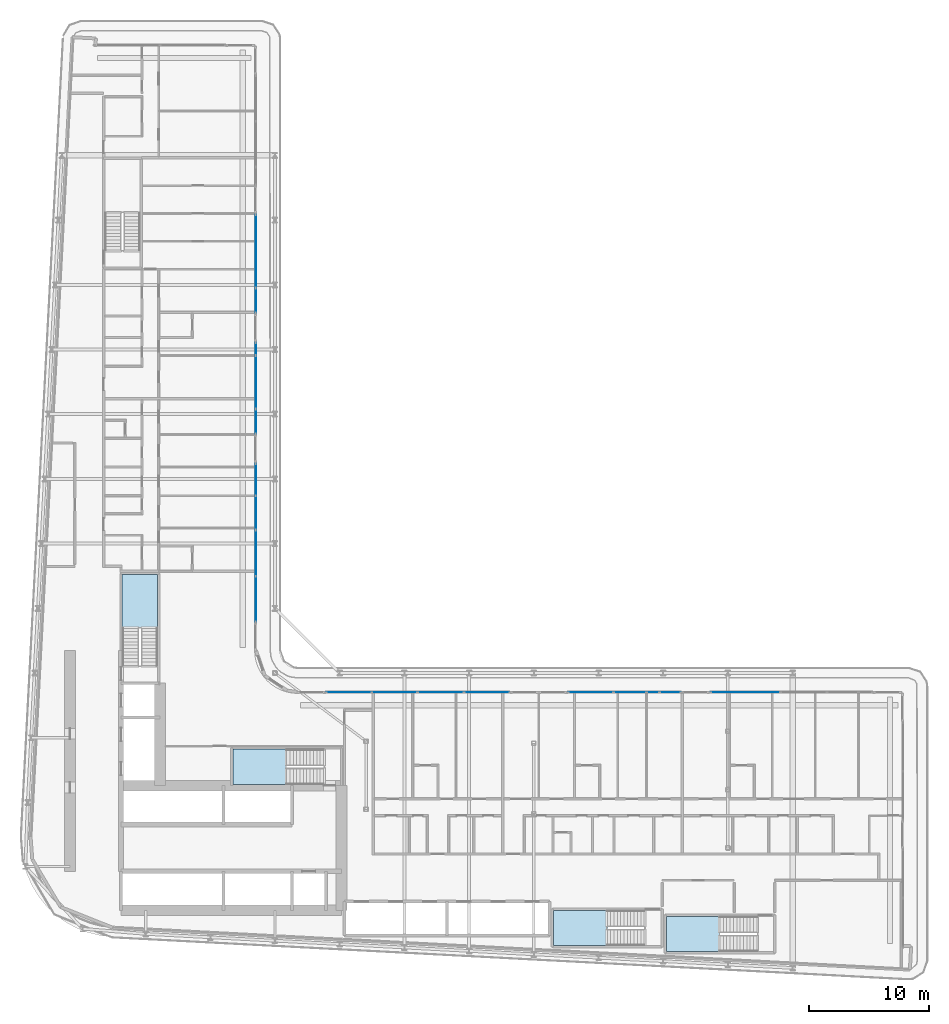
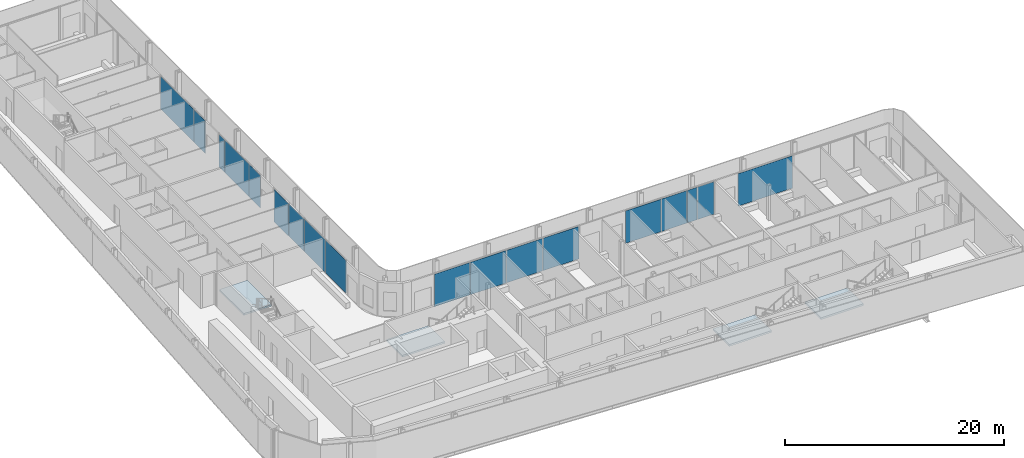
# One storey, part 10 of 29: 18 plates, 4 slabs, 15 elements without a shape of their own.
"""IFC4 building model written with IfcOpenShell, lengths in metres."""

import ifcopenshell
import ifcopenshell.guid

model = None  # the IFC model being written
_history = None  # IfcOwnerHistory: only IFC2X3 demands one
_inside = {}  # id of a spatial element -> (the spatial element, [elements in it])
_under = {}  # id of a project, library or spatial element -> (it, [spatial elements below it])
_declared = {}  # id of a project -> (the project, [libraries it declares])
_typed = {}  # id of a type object -> (the type object, [elements of that type])
_made_of = {}  # id of a material, layer set ... -> (it, [elements and type objects made of it])


def new_model(schema):
    """Start an empty IFC model of exactly this schema.

    Asked for "IFC4X3", IfcOpenShell would pick the latest addendum, in which some entities
    have other attributes; the version numbers below select the first issue.
    IFC2X3 requires an IfcOwnerHistory on every rooted entity: one is made here for all.
    """
    global model, _history
    if schema == "IFC4X3":
        model = ifcopenshell.file(schema_version=(4, 3, 0, 0))
    else:
        model = ifcopenshell.file(schema=schema)
    _inside.clear()
    _under.clear()
    _declared.clear()
    _typed.clear()
    _made_of.clear()
    _history = None
    if model.schema == "IFC2X3":
        org = make("IfcOrganization", Name="unknown")
        user = make(
            "IfcPersonAndOrganization",
            ThePerson=make("IfcPerson", FamilyName="unknown"),
            TheOrganization=org,
        )
        app = make(
            "IfcApplication",
            ApplicationDeveloper=org,
            Version="unknown",
            ApplicationFullName="unknown",
            ApplicationIdentifier="unknown",
        )
        _history = make(
            "IfcOwnerHistory",
            OwningUser=user,
            OwningApplication=app,
            ChangeAction="ADDED",
            CreationDate=0,
        )
    return model


def make(cls, **values):
    """One entity of the class cls with the attributes given. An attribute that is None is left unset."""
    return model.create_entity(
        cls, **{name: value for name, value in values.items() if value is not None}
    )


def rooted(cls, **values):
    """An entity with a GlobalId (a new one), such as an element, a storey or a relation."""
    return make(cls, GlobalId=ifcopenshell.guid.new(), OwnerHistory=_history, **values)


def si_unit(unit_type, name, prefix=None):
    """IfcSIUnit, for example si_unit("LENGTHUNIT", "METRE", prefix="MILLI")."""
    return make("IfcSIUnit", UnitType=unit_type, Prefix=prefix, Name=name)


def assignment(units):
    """IfcUnitAssignment: the units of a project."""
    return None if units is None else make("IfcUnitAssignment", Units=units)


def point(xyz):
    """IfcCartesianPoint."""
    return None if xyz is None else make("IfcCartesianPoint", Coordinates=xyz)


def direction(xyz):
    """IfcDirection."""
    return None if xyz is None else make("IfcDirection", DirectionRatios=xyz)


def frame(location, z_axis=None, x_axis=None):
    """IfcAxis2Placement3D, a coordinate frame: its origin and axes. An axis left out is left unset."""
    return make(
        "IfcAxis2Placement3D",
        Location=point(location),
        Axis=direction(z_axis),
        RefDirection=direction(x_axis),
    )


def frame_2d(location, x_axis=None):
    """IfcAxis2Placement2D, a coordinate frame in the plane: its origin and x axis."""
    return make(
        "IfcAxis2Placement2D", Location=point(location), RefDirection=direction(x_axis)
    )


def origin():
    """The frame at (0, 0, 0) with its axes left unset."""
    return frame((0.0, 0.0, 0.0))


def origin_2d():
    """The frame at (0, 0) in the plane with its x axis left unset."""
    return frame_2d((0.0, 0.0))


def place(relative_to, where):
    """IfcLocalPlacement: puts the frame where relative to a parent placement (None: the world)."""
    return make(
        "IfcLocalPlacement", PlacementRelTo=relative_to, RelativePlacement=where
    )


def context(
    kind, dimensions, precision=None, world=None, true_north=None, identifier=None
):
    """IfcGeometricRepresentationContext, for example the 3D "Model" context."""
    return make(
        "IfcGeometricRepresentationContext",
        ContextIdentifier=identifier,
        ContextType=kind,
        CoordinateSpaceDimension=dimensions,
        Precision=precision,
        WorldCoordinateSystem=world,
        TrueNorth=true_north,
    )


def subcontext(parent, identifier, kind, view, scale=None):
    """IfcGeometricRepresentationSubContext, for example "Body" below "Model"."""
    return make(
        "IfcGeometricRepresentationSubContext",
        ContextIdentifier=identifier,
        ContextType=kind,
        ParentContext=parent,
        TargetScale=scale,
        TargetView=view,
    )


def project(units=None, contexts=None):
    """IfcProject with its units and contexts."""
    return rooted(
        "IfcProject",
        Name="project",
        RepresentationContexts=contexts,
        UnitsInContext=assignment(units),
    )


def spatial(cls, under=None, at=None, **own):
    """A site, building, storey or space (cls), placed at a placement, below another one or the project."""
    s = rooted(cls, ObjectPlacement=at, **own)
    if under is not None:
        _under.setdefault(under.id(), (under, []))[1].append(s)
    return s


def polyline(points):
    """IfcPolyline through the points."""
    return make("IfcPolyline", Points=[point(p) for p in points])


def profile(cls, at=None, kind="AREA", **sizes):
    """A parametric profile (cls). Its sizes go by their IFC names, for example OverallWidth=200.0."""
    return make(cls, ProfileType=kind, Position=at, **sizes)


def rectangle(**sizes):
    """IfcRectangleProfileDef."""
    return profile("IfcRectangleProfileDef", **sizes)


def outline(outer, holes=None, kind="AREA"):
    """IfcArbitraryClosedProfileDef: a profile drawn as a closed curve; with holes, ...WithVoids."""
    if holes is None:
        return make("IfcArbitraryClosedProfileDef", ProfileType=kind, OuterCurve=outer)
    return make(
        "IfcArbitraryProfileDefWithVoids",
        ProfileType=kind,
        OuterCurve=outer,
        InnerCurves=holes,
    )


def extrude(swept, where, along, depth):
    """IfcExtrudedAreaSolid: the profile swept, set in the frame where, extruded along a direction by depth."""
    return make(
        "IfcExtrudedAreaSolid",
        SweptArea=swept,
        Position=where,
        ExtrudedDirection=direction(along),
        Depth=depth,
    )


def shape(context_of_items, identifier, shape_type, items):
    """IfcShapeRepresentation: the items that make up one representation, for example the "Body"."""
    return make(
        "IfcShapeRepresentation",
        ContextOfItems=context_of_items,
        RepresentationIdentifier=identifier,
        RepresentationType=shape_type,
        Items=items,
    )


def material(Name=None, Category=None):
    """IfcMaterial."""
    return make("IfcMaterial", Name=Name, Category=Category)


def layer(
    of_material, thickness, ventilated=None, Name=None, Category=None, Priority=None
):
    """IfcMaterialLayer: one layer of a wall or slab, of a material (None: an air gap)."""
    return make(
        "IfcMaterialLayer",
        Material=of_material,
        LayerThickness=thickness,
        IsVentilated=ventilated,
        Name=Name,
        Category=Category,
        Priority=Priority,
    )


def layer_set(layers, Name=None):
    """IfcMaterialLayerSet."""
    return make("IfcMaterialLayerSet", MaterialLayers=layers, LayerSetName=Name)


def made_of(thing, what):
    """Note that an element or type object is made of a material, layer set ...; save() writes the relation."""
    if what is not None:
        _made_of.setdefault(what.id(), (what, []))[1].append(thing)
    return thing


def type_object(cls, material=None, **own):
    """A type object (cls), such as IfcWallType, which elements share."""
    return made_of(rooted(cls, **own), material)


def element(
    cls,
    number,
    at=None,
    inside=None,
    cuts=None,
    type_object=None,
    material=None,
    context=None,
    identifier="Body",
    shape_type=None,
    held_by="IfcProductDefinitionShape",
    body=None,
    shapes=None,
    **own,
):
    """One element of the class cls, such as IfcWall. Its Tag is "e" and its number.

    at: its placement. inside: the storey or other place that contains it. cuts: it is an
    opening in that element (IfcRelVoidsElement). A single representation is given by context,
    identifier, shape_type and body (its items); several are given by shapes. held_by: the class
    of the entity that holds the representations. save() writes the other relations.
    """
    e = rooted(cls, Tag="e%d" % number, ObjectPlacement=at, **own)
    if body is not None:
        shapes = [shape(context, identifier, shape_type, body)]
    if shapes is not None:
        e.Representation = make(held_by, Representations=shapes)
    if inside is not None:
        _inside.setdefault(inside.id(), (inside, []))[1].append(e)
    if cuts is not None:
        rooted(
            "IfcRelVoidsElement", RelatingBuildingElement=cuts, RelatedOpeningElement=e
        )
    if type_object is not None:
        _typed.setdefault(type_object.id(), (type_object, []))[1].append(e)
    return made_of(e, material)


def aggregate(whole, parts):
    """IfcRelAggregates: a whole, such as a stair, and the parts it consists of."""
    return rooted("IfcRelAggregates", RelatingObject=whole, RelatedObjects=parts)


def save(model, path):
    """Write the relations noted so far, then the file.

    IfcRelAggregates (storeys below a building ...), IfcRelContainedInSpatialStructure (elements
    in a storey), IfcRelDefinesByType, IfcRelAssociatesMaterial and IfcRelDeclares: one each for
    every whole, place, type object, material and project.
    """
    for whole, parts in _under.values():
        aggregate(whole, parts)
    for where, things in _inside.values():
        rooted(
            "IfcRelContainedInSpatialStructure",
            RelatedElements=things,
            RelatingStructure=where,
        )
    for kind, things in _typed.values():
        rooted("IfcRelDefinesByType", RelatedObjects=things, RelatingType=kind)
    for what, things in _made_of.values():
        rooted("IfcRelAssociatesMaterial", RelatedObjects=things, RelatingMaterial=what)
    for by, libraries in _declared.values():
        rooted("IfcRelDeclares", RelatingContext=by, RelatedDefinitions=libraries)
    model.write(path)


model = new_model("IFC4")

# Units and contexts
model_context = context("Model", 3, precision=1e-05, world=origin(), true_north=direction((0.0, 1.0)))
body_context = subcontext(model_context, "Body", "Model", "MODEL_VIEW")
ifc_project = project(units=[si_unit("LENGTHUNIT", "METRE"), si_unit("AREAUNIT", "SQUARE_METRE"), si_unit("VOLUMEUNIT", "CUBIC_METRE"), si_unit("PLANEANGLEUNIT", "RADIAN"), si_unit("MASSUNIT", "GRAM", prefix="KILO")], contexts=[model_context])

# Site, building, storey
site_placement = place(None, origin())
site = spatial("IfcSite", under=ifc_project, at=site_placement, CompositionType="ELEMENT")
building_placement = place(site_placement, origin())
building = spatial("IfcBuilding", under=site, at=building_placement, Name="Kheshtan School and Residences Tower", CompositionType="ELEMENT")
storey_placement = place(building_placement, frame((0.0, 0.0, 121.39990234375)))
storey = spatial("IfcBuildingStorey", under=building, at=storey_placement, Name="L28", CompositionType="ELEMENT", Elevation=121.39990234375)

# Curtain wall, plate
ifc_material_1 = material(Name="Clear low-e glass in thermally broken aluminium frame", Category="aluminium")
ifc_layer_1 = layer(ifc_material_1, 0.199951171875)
ifc_layer_set_1 = layer_set([ifc_layer_1], Name="Curtain wall CW-L")
curtain_wall_type = type_object("IfcCurtainWallType", Name="Curtain wall CW-L", PredefinedType="NOTDEFINED", material=ifc_layer_set_1)
curtain_wall_1_placement = place(storey_placement, origin())
curtain_wall_1 = element("IfcCurtainWall", 1, at=curtain_wall_1_placement, inside=storey, type_object=curtain_wall_type, Name="Curtain wall CWL8d", PredefinedType="NOTDEFINED")
ifc_layer_2 = layer(ifc_material_1, 0.031982421875)
ifc_layer_set_2 = layer_set([ifc_layer_2], Name="CW-L glass panel")
plate_type = type_object("IfcPlateType", Name="CW-L glass panel", PredefinedType="CURTAIN_PANEL", material=ifc_layer_set_2)
plate_1_placement = place(storey_placement, frame((46.0, 80.80908203125, 0.000244140625), z_axis=(0.0, 0.0, 1.0), x_axis=(0.0, -1.0, 0.0)))
plate_1 = element("IfcPlate", 2, at=plate_1_placement, type_object=plate_type, Name="CWL8d panel 1.1", PredefinedType="CURTAIN_PANEL", context=body_context, shape_type="SweptSolid", body=[
    extrude(rectangle(XDim=6.073974609375, YDim=0.031982421875, at=origin_2d()), origin(), (0.0, 0.0, 1.0), 3.6298828125),
])
aggregate(curtain_wall_1, [plate_1])

curtain_wall_2_placement = place(storey_placement, origin())
curtain_wall_2 = element("IfcCurtainWall", 3, at=curtain_wall_2_placement, inside=storey, type_object=curtain_wall_type, Name="Curtain wall CWL8i", PredefinedType="NOTDEFINED")
plate_2_placement = place(storey_placement, frame((46.0, 76.69189453125, 0.000244140625), z_axis=(0.0, 0.0, 1.0), x_axis=(0.0, -1.0, 0.0)))
plate_2 = element("IfcPlate", 4, at=plate_2_placement, type_object=plate_type, Name="CWL8i panel 1.1", PredefinedType="CURTAIN_PANEL", context=body_context, shape_type="SweptSolid", body=[
    extrude(rectangle(XDim=2.0400390625, YDim=0.031982421875, at=origin_2d()), origin(), (0.0, 0.0, 1.0), 3.6298828125),
])
aggregate(curtain_wall_2, [plate_2])

# Curtain wall, plates
curtain_wall_3_placement = place(storey_placement, origin())
curtain_wall_3 = element("IfcCurtainWall", 5, at=curtain_wall_3_placement, inside=storey, type_object=curtain_wall_type, Name="Curtain wall CWL8l", PredefinedType="NOTDEFINED")
plate_3_placement = place(storey_placement, frame((46.0, 72.64111328125, 0.000244140625), z_axis=(0.0, 0.0, 1.0), x_axis=(0.0, -1.0, 0.0)))
plate_3 = element("IfcPlate", 6, at=plate_3_placement, type_object=plate_type, Name="CWL8l panel 1.1", PredefinedType="CURTAIN_PANEL", context=body_context, shape_type="SweptSolid", body=[
    extrude(rectangle(XDim=1.02197265625, YDim=0.031982421875, at=origin_2d()), origin(), (0.0, 0.0, 1.0), 3.6298828125),
])
plate_4_placement = place(storey_placement, frame((46.0, 69.8740234375, 0.000244140625), z_axis=(0.0, 0.0, 1.0), x_axis=(0.0, -1.0, 0.0)))
plate_4 = element("IfcPlate", 7, at=plate_4_placement, type_object=plate_type, Name="CWL8l panel 2.1", PredefinedType="CURTAIN_PANEL", context=body_context, shape_type="SweptSolid", body=[
    extrude(rectangle(XDim=4.39208984375, YDim=0.031982421875, at=origin_2d()), origin(), (0.0, 0.0, 1.0), 3.6298828125),
])
aggregate(curtain_wall_3, [plate_3, plate_4])

# Curtain wall, plate
curtain_wall_4_placement = place(storey_placement, origin())
curtain_wall_4 = element("IfcCurtainWall", 8, at=curtain_wall_4_placement, inside=storey, type_object=curtain_wall_type, Name="Curtain wall CWL8i", PredefinedType="NOTDEFINED")
plate_5_placement = place(storey_placement, frame((46.0, 66.597900390625, 0.000244140625), z_axis=(0.0, 0.0, 1.0), x_axis=(0.0, -1.0, 0.0)))
plate_5 = element("IfcPlate", 9, at=plate_5_placement, type_object=plate_type, Name="CWL8i panel 1.1", PredefinedType="CURTAIN_PANEL", context=body_context, shape_type="SweptSolid", body=[
    extrude(rectangle(XDim=2.0400390625, YDim=0.031982421875, at=origin_2d()), origin(), (0.0, 0.0, 1.0), 3.6298828125),
])
aggregate(curtain_wall_4, [plate_5])

# Curtain wall, plates
curtain_wall_5_placement = place(storey_placement, origin())
curtain_wall_5 = element("IfcCurtainWall", 10, at=curtain_wall_5_placement, inside=storey, type_object=curtain_wall_type, Name="Curtain wall CWL8l", PredefinedType="NOTDEFINED")
plate_6_placement = place(storey_placement, frame((46.0, 61.743896484375, 0.000244140625), z_axis=(0.0, 0.0, 1.0), x_axis=(0.0, -1.0, 0.0)))
plate_6 = element("IfcPlate", 11, at=plate_6_placement, type_object=plate_type, Name="CWL8l panel 1.1", PredefinedType="CURTAIN_PANEL", context=body_context, shape_type="SweptSolid", body=[
    extrude(rectangle(XDim=2.6279296875, YDim=0.031982421875, at=origin_2d()), origin(), (0.0, 0.0, 1.0), 3.6298828125),
])
plate_7_placement = place(storey_placement, frame((46.0, 58.97705078125, 0.000244140625), z_axis=(0.0, 0.0, 1.0), x_axis=(0.0, -1.0, 0.0)))
plate_7 = element("IfcPlate", 12, at=plate_7_placement, type_object=plate_type, Name="CWL8l panel 2.1", PredefinedType="CURTAIN_PANEL", context=body_context, shape_type="SweptSolid", body=[
    extrude(rectangle(XDim=2.785888671875, YDim=0.031982421875, at=origin_2d()), origin(), (0.0, 0.0, 1.0), 3.6298828125),
])
aggregate(curtain_wall_5, [plate_6, plate_7])

curtain_wall_6_placement = place(storey_placement, origin())
curtain_wall_6 = element("IfcCurtainWall", 13, at=curtain_wall_6_placement, inside=storey, type_object=curtain_wall_type, Name="Curtain wall CWL8", PredefinedType="NOTDEFINED")
plate_8_placement = place(storey_placement, frame((46.0, 55.615478515625, 0.000244140625), z_axis=(0.0, 0.0, 1.0), x_axis=(0.0, -1.0, 0.0)))
plate_8 = element("IfcPlate", 14, at=plate_8_placement, type_object=plate_type, Name="CWL8 panel 1.1", PredefinedType="CURTAIN_PANEL", context=body_context, shape_type="SweptSolid", body=[
    extrude(rectangle(XDim=3.81689453125, YDim=0.031982421875, at=origin_2d()), origin(), (0.0, 0.0, 1.0), 3.6298828125),
])
plate_9_placement = place(storey_placement, frame((46.0, 51.7685546875, 0.000244140625), z_axis=(0.0, 0.0, 1.0), x_axis=(0.0, -1.0, 0.0)))
plate_9 = element("IfcPlate", 15, at=plate_9_placement, type_object=plate_type, Name="CWL8 panel 2.1", PredefinedType="CURTAIN_PANEL", context=body_context, shape_type="SweptSolid", body=[
    extrude(rectangle(XDim=3.757080078125, YDim=0.031982421875, at=origin_2d()), origin(), (0.0, 0.0, 1.0), 3.6298828125),
])
aggregate(curtain_wall_6, [plate_8, plate_9])

curtain_wall_7_placement = place(storey_placement, origin())
curtain_wall_7 = element("IfcCurtainWall", 16, at=curtain_wall_7_placement, inside=storey, type_object=curtain_wall_type, Name="Curtain wall CWL12j", PredefinedType="NOTDEFINED")
plate_10_placement = place(storey_placement, frame((53.7685546875, 44.0, 0.000244140625), z_axis=(0.0, 0.0, 1.0), x_axis=(1.0, 0.0, 0.0)))
plate_10 = element("IfcPlate", 17, at=plate_10_placement, type_object=plate_type, Name="CWL12j panel 1.1", PredefinedType="CURTAIN_PANEL", context=body_context, shape_type="SweptSolid", body=[
    extrude(rectangle(XDim=3.757080078125, YDim=0.031982421875, at=origin_2d()), origin(), (0.0, 0.0, 1.0), 3.6298828125),
])
plate_11_placement = place(storey_placement, frame((57.58544921875, 44.0, 0.000244140625), z_axis=(0.0, 0.0, 1.0), x_axis=(1.0, 0.0, 0.0)))
plate_11 = element("IfcPlate", 18, at=plate_11_placement, type_object=plate_type, Name="CWL12j panel 2.1", PredefinedType="CURTAIN_PANEL", context=body_context, shape_type="SweptSolid", body=[
    extrude(rectangle(XDim=3.757080078125, YDim=0.031982421875, at=origin_2d()), origin(), (0.0, 0.0, 1.0), 3.6298828125),
])
aggregate(curtain_wall_7, [plate_10, plate_11])

curtain_wall_8_placement = place(storey_placement, origin())
curtain_wall_8 = element("IfcCurtainWall", 19, at=curtain_wall_8_placement, inside=storey, type_object=curtain_wall_type, Name="Curtain wall CWL12j", PredefinedType="NOTDEFINED")
plate_12_placement = place(storey_placement, frame((61.4326171875, 44.0, 0.000244140625), z_axis=(0.0, 0.0, 1.0), x_axis=(1.0, 0.0, 0.0)))
plate_12 = element("IfcPlate", 20, at=plate_12_placement, type_object=plate_type, Name="CWL12j panel 1.1", PredefinedType="CURTAIN_PANEL", context=body_context, shape_type="SweptSolid", body=[
    extrude(rectangle(XDim=3.81689453125, YDim=0.031982421875, at=origin_2d()), origin(), (0.0, 0.0, 1.0), 3.6298828125),
])
plate_13_placement = place(storey_placement, frame((65.279541015625, 44.0, 0.000244140625), z_axis=(0.0, 0.0, 1.0), x_axis=(1.0, 0.0, 0.0)))
plate_13 = element("IfcPlate", 21, at=plate_13_placement, type_object=plate_type, Name="CWL12j panel 2.1", PredefinedType="CURTAIN_PANEL", context=body_context, shape_type="SweptSolid", body=[
    extrude(rectangle(XDim=3.757080078125, YDim=0.031982421875, at=origin_2d()), origin(), (0.0, 0.0, 1.0), 3.6298828125),
])
aggregate(curtain_wall_8, [plate_12, plate_13])

curtain_wall_9_placement = place(storey_placement, origin())
curtain_wall_9 = element("IfcCurtainWall", 22, at=curtain_wall_9_placement, inside=storey, type_object=curtain_wall_type, Name="Curtain wall CWL12k", PredefinedType="NOTDEFINED")
plate_14_placement = place(storey_placement, frame((73.95654296875, 44.0, 0.000244140625), z_axis=(0.0, 0.0, 1.0), x_axis=(1.0, 0.0, 0.0)))
plate_14 = element("IfcPlate", 23, at=plate_14_placement, type_object=plate_type, Name="CWL12k panel 1.1", PredefinedType="CURTAIN_PANEL", context=body_context, shape_type="SweptSolid", body=[
    extrude(rectangle(XDim=3.757080078125, YDim=0.031982421875, at=origin_2d()), origin(), (0.0, 0.0, 1.0), 3.6298828125),
])
plate_15_placement = place(storey_placement, frame((77.232421875, 44.0, 0.000244140625), z_axis=(0.0, 0.0, 1.0), x_axis=(1.0, 0.0, 0.0)))
plate_15 = element("IfcPlate", 24, at=plate_15_placement, type_object=plate_type, Name="CWL12k panel 2.1", PredefinedType="CURTAIN_PANEL", context=body_context, shape_type="SweptSolid", body=[
    extrude(rectangle(XDim=2.675048828125, YDim=0.031982421875, at=origin_2d()), origin(), (0.0, 0.0, 1.0), 3.6298828125),
])
plate_16_placement = place(storey_placement, frame((79.14111328125, 44.0, 0.000244140625), z_axis=(0.0, 0.0, 1.0), x_axis=(1.0, 0.0, 0.0)))
plate_16 = element("IfcPlate", 25, at=plate_16_placement, type_object=plate_type, Name="CWL12k panel 3.1", PredefinedType="CURTAIN_PANEL", context=body_context, shape_type="SweptSolid", body=[
    extrude(rectangle(XDim=1.02197265625, YDim=0.031982421875, at=origin_2d()), origin(), (0.0, 0.0, 1.0), 3.6298828125),
])
aggregate(curtain_wall_9, [plate_14, plate_15, plate_16])

# Curtain wall, plate
curtain_wall_10_placement = place(storey_placement, origin())
curtain_wall_10 = element("IfcCurtainWall", 26, at=curtain_wall_10_placement, inside=storey, type_object=curtain_wall_type, Name="Curtain wall CWL12q", PredefinedType="NOTDEFINED")
plate_17_placement = place(storey_placement, frame((80.58203125, 44.0, 0.000244140625), z_axis=(0.0, 0.0, 1.0), x_axis=(1.0, 0.0, 0.0)))
plate_17 = element("IfcPlate", 27, at=plate_17_placement, type_object=plate_type, Name="CWL12q panel 1.1", PredefinedType="CURTAIN_PANEL", context=body_context, shape_type="SweptSolid", body=[
    extrude(rectangle(XDim=1.739990234375, YDim=0.031982421875, at=origin_2d()), origin(), (0.0, 0.0, 1.0), 3.6298828125),
])
aggregate(curtain_wall_10, [plate_17])

curtain_wall_11_placement = place(storey_placement, origin())
curtain_wall_11 = element("IfcCurtainWall", 28, at=curtain_wall_11_placement, inside=storey, type_object=curtain_wall_type, Name="Curtain wall CWL12r", PredefinedType="NOTDEFINED")
plate_18_placement = place(storey_placement, frame((86.85888671875, 44.0, 0.000244140625), z_axis=(0.0, 0.0, 1.0), x_axis=(1.0, 0.0, 0.0)))
plate_18 = element("IfcPlate", 29, at=plate_18_placement, type_object=plate_type, Name="CWL12r panel 1.1", PredefinedType="CURTAIN_PANEL", context=body_context, shape_type="SweptSolid", body=[
    extrude(rectangle(XDim=5.77392578125, YDim=0.031982421875, at=origin_2d()), origin(), (0.0, 0.0, 1.0), 3.6298828125),
])
aggregate(curtain_wall_11, [plate_18])

# Stair, slab
ifc_material_2 = material(Name="Concrete C40/50", Category="concrete")
stair_type = type_object("IfcStairType", Name="Exit stair, half-turn", PredefinedType="HALF_TURN_STAIR", material=ifc_material_2)
stair_1_placement = place(storey_placement, origin())
stair_1 = element("IfcStair", 30, at=stair_1_placement, inside=storey, type_object=stair_type, Name="L28 Protected Exit Stair ST1", PredefinedType="HALF_TURN_STAIR")
ifc_layer_3 = layer(ifc_material_2, 0.199951171875)
ifc_layer_set_3 = layer_set([ifc_layer_3], Name="Stair landing 200 Concrete C40/50")
slab_type = type_object("IfcSlabType", Name="Stair landing 200 Concrete C40/50", PredefinedType="LANDING", material=ifc_layer_set_3)
slab_1_placement = place(storey_placement, frame((0.0, 0.0, 1.75)))
slab_1 = element("IfcSlab", 31, at=slab_1_placement, type_object=slab_type, Name="ST1 landing 1", PredefinedType="LANDING", context=body_context, shape_type="SweptSolid", body=[
    extrude(outline(polyline([(48.570068359375, 39.25), (44.090087890625, 39.25), (44.090087890625, 36.300048828125), (48.570068359375, 36.300048828125), (48.570068359375, 39.25)])), origin(), (0.0, 0.0, 1.0), 0.2001953125),
])
aggregate(stair_1, [slab_1])

stair_2_placement = place(storey_placement, origin())
stair_2 = element("IfcStair", 32, at=stair_2_placement, inside=storey, type_object=stair_type, Name="L28 Protected Exit Stair ST2", PredefinedType="HALF_TURN_STAIR")
slab_2_placement = place(storey_placement, frame((0.0, 0.0, 1.75)))
slab_2 = element("IfcSlab", 33, at=slab_2_placement, type_object=slab_type, Name="ST2 landing 1", PredefinedType="LANDING", context=body_context, shape_type="SweptSolid", body=[
    extrude(outline(polyline([(37.800048828125, 49.330078125), (37.800048828125, 53.81005859375), (34.85009765625, 53.81005859375), (34.85009765625, 49.330078125), (37.800048828125, 49.330078125)])), origin(), (0.0, 0.0, 1.0), 0.2001953125),
])
aggregate(stair_2, [slab_2])

stair_3_placement = place(storey_placement, origin())
stair_3 = element("IfcStair", 34, at=stair_3_placement, inside=storey, type_object=stair_type, Name="L28 Protected Exit Stair ST4", PredefinedType="HALF_TURN_STAIR")
slab_3_placement = place(storey_placement, frame((0.0, 0.0, 1.75)))
slab_3 = element("IfcSlab", 35, at=slab_3_placement, type_object=slab_type, Name="ST4 landing 1", PredefinedType="LANDING", context=body_context, shape_type="SweptSolid", body=[
    extrude(outline(polyline([(84.739990234375, 25.300048828125), (80.260009765625, 25.300048828125), (80.260009765625, 22.35009765625), (84.739990234375, 22.35009765625), (84.739990234375, 25.300048828125)])), origin(), (0.0, 0.0, 1.0), 0.2001953125),
])
aggregate(stair_3, [slab_3])

stair_4_placement = place(storey_placement, origin())
stair_4 = element("IfcStair", 36, at=stair_4_placement, inside=storey, type_object=stair_type, Name="L28 Protected Exit Stair ST5", PredefinedType="HALF_TURN_STAIR")
slab_4_placement = place(storey_placement, frame((0.0, 0.0, 1.75)))
slab_4 = element("IfcSlab", 37, at=slab_4_placement, type_object=slab_type, Name="ST5 landing 1", PredefinedType="LANDING", context=body_context, shape_type="SweptSolid", body=[
    extrude(outline(polyline([(75.330078125, 25.800048828125), (70.85009765625, 25.800048828125), (70.85009765625, 22.85009765625), (75.330078125, 22.85009765625), (75.330078125, 25.800048828125)])), origin(), (0.0, 0.0, 1.0), 0.2001953125),
])
aggregate(stair_4, [slab_4])

save(model, "model.ifc")
